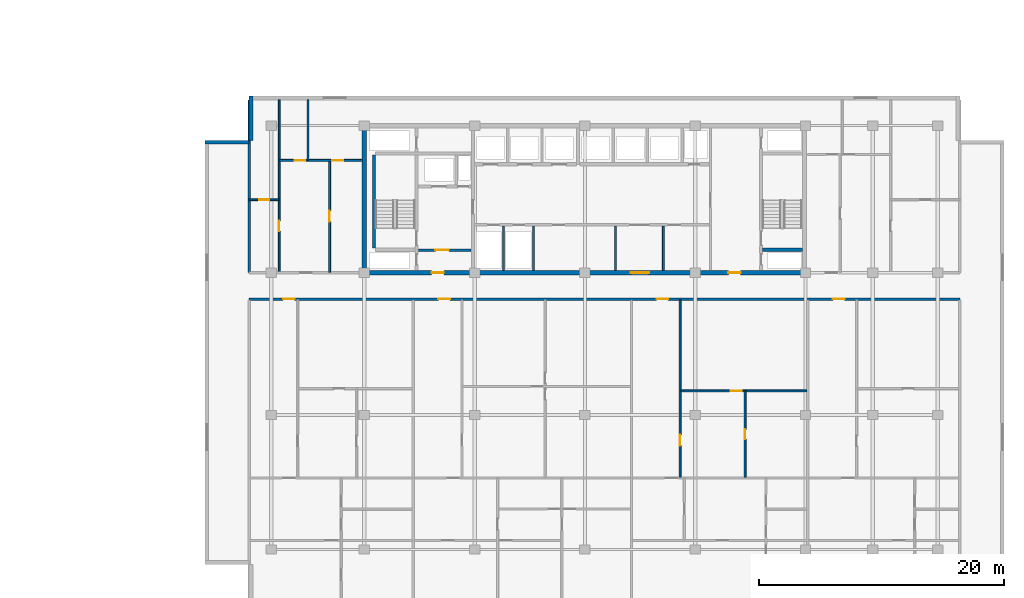
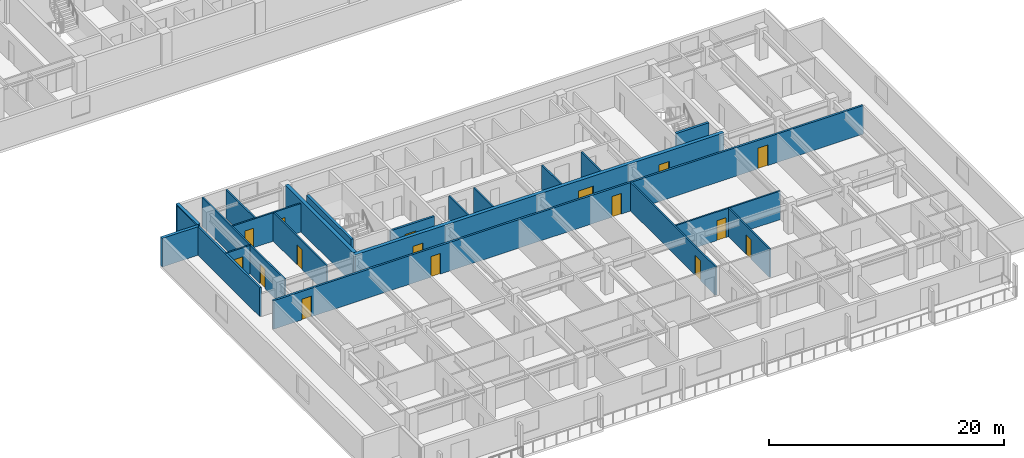
# One storey, part 6 of 22: 21 walls, 16 doors, 16 openings.
"""IFC4 building model written with IfcOpenShell, lengths in metres."""

from ifc_helpers import new_model, si_unit, direction, frame, frame_2d, origin, place, context, subcontext, project, spatial, rectangle, extrude, material, layer, layer_set, type_object, element, fill, save


model = new_model("IFC4")

# Units and contexts
model_context = context("Model", 3, precision=1e-05, world=origin(), true_north=direction((0.0, 1.0)))
body_context = subcontext(model_context, "Body", "Model", "MODEL_VIEW")
ifc_project = project(units=[si_unit("LENGTHUNIT", "METRE"), si_unit("AREAUNIT", "SQUARE_METRE"), si_unit("VOLUMEUNIT", "CUBIC_METRE"), si_unit("PLANEANGLEUNIT", "RADIAN"), si_unit("MASSUNIT", "GRAM", prefix="KILO")], contexts=[model_context])

# Site, building, storey
site_placement = place(None, origin())
site = spatial("IfcSite", under=ifc_project, at=site_placement, CompositionType="ELEMENT")
building_placement = place(site_placement, origin())
building = spatial("IfcBuilding", under=site, at=building_placement, Name="Korimba Cascade Residences", CompositionType="ELEMENT")
storey_placement = place(building_placement, frame((0.0, 0.0, 84.050048828125)))
storey = spatial("IfcBuildingStorey", under=building, at=storey_placement, Name="L23", CompositionType="ELEMENT", Elevation=84.050048828125)

# Walls
ifc_material_1 = material(Name="Precast concrete C40/50", Category="concrete")
ifc_layer_1 = layer(ifc_material_1, 0.300048828125)
ifc_layer_set_1 = layer_set([ifc_layer_1], Name="Precast concrete C40/50")
wall_type_1 = type_object("IfcWallType", Name="EW-STONE-300", PredefinedType="STANDARD", material=ifc_layer_set_1)
wall_1_placement = place(storey_placement, frame((72.85009765625, 32.800048828125, 0.0), z_axis=(0.0, 0.0, 1.0), x_axis=(0.0, -1.0, 0.0)))
element("IfcWall", 1, at=wall_1_placement, inside=storey, type_object=wall_type_1, Name="L23 T2 Perimeter Stone Wall E07", PredefinedType="STANDARD", context=body_context, shape_type="SweptSolid", body=[
    extrude(rectangle(XDim=3.60009765625, YDim=0.300048828125, at=frame_2d((1.800048828125, 0.0))), origin(), (0.0, 0.0, 1.0), 2.969970703125),
])
wall_2_placement = place(storey_placement, frame((72.699951171875, 29.050048828125, 0.0), z_axis=(0.0, 0.0, 1.0), x_axis=(-1.0, 0.0, 0.0)))
element("IfcWall", 2, at=wall_2_placement, inside=storey, type_object=wall_type_1, Name="L23 T2 Perimeter Stone Wall E08", PredefinedType="STANDARD", context=body_context, shape_type="SweptSolid", body=[
    extrude(rectangle(XDim=3.599853515625, YDim=0.300048828125, at=frame_2d((1.7998046875, 0.0))), origin(), (0.0, 0.0, 1.0), 2.969970703125),
])
ifc_material_2 = material(Name="Concrete C65/80", Category="concrete")
ifc_layer_2 = layer(ifc_material_2, 0.35009765625)
ifc_layer_set_2 = layer_set([ifc_layer_2], Name="Concrete C65/80")
wall_type_2 = type_object("IfcWallType", Name="WAL-CORE-350", PredefinedType="SHEAR", material=ifc_layer_set_2)
wall_3_placement = place(storey_placement, frame((82.10009765625, 18.574951171875, 0.0), z_axis=(0.0, 0.0, 1.0), x_axis=(0.0, 1.0, 0.0)))
element("IfcWall", 3, at=wall_3_placement, inside=storey, type_object=wall_type_2, Name="L23 Core Shear Wall CW-L23-T2-W", PredefinedType="SHEAR", context=body_context, shape_type="SweptSolid", body=[
    extrude(rectangle(XDim=11.650146484375, YDim=0.35009765625, at=frame_2d((5.8251953125, 0.0))), origin(), (0.0, 0.0, 1.0), 3.25),
])

# Wall, openings, doors
wall_4_placement = place(storey_placement, frame((81.925048828125, 18.39990234375, 0.0), z_axis=(0.0, 0.0, 1.0), x_axis=(1.0, 0.0, 0.0)))
wall_4 = element("IfcWall", 4, at=wall_4_placement, inside=storey, type_object=wall_type_2, Name="L23 Core Shear Wall CW-L23-T2-S", PredefinedType="SHEAR", context=body_context, shape_type="SweptSolid", body=[
    extrude(rectangle(XDim=36.264892578125, YDim=0.35009765625, at=frame_2d((18.13232421875, 0.0))), origin(), (0.0, 0.0, 1.0), 3.25),
])
opening_1_placement = place(wall_4_placement, frame((5.675048828125, 0.0, 0.0)))
opening_1 = element("IfcOpeningElement", 5, at=opening_1_placement, cuts=wall_4, Name="Opening D-FD5", PredefinedType="OPENING", context=body_context, shape_type="SweptSolid", body=[
    extrude(rectangle(XDim=1.0, YDim=2.14990234375, at=frame_2d((0.5, 1.074951171875))), frame((0.0, 0.18505859375, 0.0), z_axis=(0.0, -1.0, 0.0), x_axis=(1.0, 0.0, 0.0)), (0.0, 0.0, 1.0), 0.3701171875),
])
opening_2_placement = place(wall_4_placement, frame((21.925048828125, 0.0, 0.0)))
opening_2 = element("IfcOpeningElement", 6, at=opening_2_placement, cuts=wall_4, Name="Opening D-FD8", PredefinedType="OPENING", context=body_context, shape_type="SweptSolid", body=[
    extrude(rectangle(XDim=1.5, YDim=2.199951171875, at=frame_2d((0.75, 1.10009765625))), frame((0.0, 0.18505859375, 0.0), z_axis=(0.0, -1.0, 0.0), x_axis=(1.0, 0.0, 0.0)), (0.0, 0.0, 1.0), 0.3701171875),
])
opening_3_placement = place(wall_4_placement, frame((29.875, 0.0, 0.0)))
opening_3 = element("IfcOpeningElement", 7, at=opening_3_placement, cuts=wall_4, Name="Opening D-FD5", PredefinedType="OPENING", context=body_context, shape_type="SweptSolid", body=[
    extrude(rectangle(XDim=1.0, YDim=2.14990234375, at=frame_2d((0.5, 1.074951171875))), frame((0.0, 0.18505859375, 0.0), z_axis=(0.0, -1.0, 0.0), x_axis=(1.0, 0.0, 0.0)), (0.0, 0.0, 1.0), 0.3701171875),
])
ifc_material_3 = material(Name="Fire-Rated Acoustic Timber Vestibule Door", Category="wood")
door_type_1 = type_object("IfcDoorType", Name="DR-FD90-1000", OperationType="NOTDEFINED", PredefinedType="DOOR", material=ifc_material_3)
door_1_placement = place(opening_1_placement, origin())
door_1 = element("IfcDoor", 8, at=door_1_placement, inside=storey, type_object=door_type_1, Name="L23 T2 West Core Vestibule Fire Door", OperationType="SINGLE_SWING_LEFT", OverallHeight=2.14990234375, OverallWidth=1.0, PredefinedType="DOOR", context=body_context, shape_type="SweptSolid", body=[
    extrude(rectangle(XDim=1.0, YDim=2.14990234375, at=frame_2d((0.5, 1.074951171875))), frame((0.0, 0.02490234375, 0.0), z_axis=(0.0, -1.0, 0.0), x_axis=(1.0, 0.0, 0.0)), (0.0, 0.0, 1.0), 0.050048828125),
])
fill(opening_1, door_1)
door_2_placement = place(opening_3_placement, origin())
door_2 = element("IfcDoor", 9, at=door_2_placement, inside=storey, type_object=door_type_1, Name="L23 T2 East Stair Vestibule Fire Door", OperationType="SINGLE_SWING_RIGHT", OverallHeight=2.14990234375, OverallWidth=1.0, PredefinedType="DOOR", context=body_context, shape_type="SweptSolid", body=[
    extrude(rectangle(XDim=1.0, YDim=2.14990234375, at=frame_2d((0.5, 1.074951171875))), frame((0.0, 0.02490234375, 0.0), z_axis=(0.0, -1.0, 0.0), x_axis=(1.0, 0.0, 0.0)), (0.0, 0.0, 1.0), 0.050048828125),
])
fill(opening_3, door_2)
ifc_material_4 = material(Name="Fire-Rated Glazed Lift Lobby Double Door", Category="glass")
door_type_2 = type_object("IfcDoorType", Name="DR-FD90-1500", OperationType="NOTDEFINED", PredefinedType="DOOR", material=ifc_material_4)
door_3_placement = place(opening_2_placement, origin())
door_3 = element("IfcDoor", 10, at=door_3_placement, inside=storey, type_object=door_type_2, Name="L23 T2 Lift Lobby Fire Door", OperationType="DOUBLE_DOOR_SINGLE_SWING", OverallHeight=2.199951171875, OverallWidth=1.5, PredefinedType="DOOR", context=body_context, shape_type="SweptSolid", body=[
    extrude(rectangle(XDim=1.5, YDim=2.199951171875, at=frame_2d((0.75, 1.10009765625))), frame((0.0, 0.02490234375, 0.0), z_axis=(0.0, -1.0, 0.0), x_axis=(1.0, 0.0, 0.0)), (0.0, 0.0, 1.0), 0.050048828125),
])
fill(opening_2, door_3)

# Wall
ifc_layer_3 = layer(ifc_material_1, 0.199951171875)
ifc_layer_set_3 = layer_set([ifc_layer_3], Name="Precast concrete C40/50")
wall_type_3 = type_object("IfcWallType", Name="WAL-IT-200", PredefinedType="PARTITIONING", material=ifc_layer_set_3)
wall_5_placement = place(storey_placement, frame((72.699951171875, 18.39990234375, 0.0), z_axis=(0.0, 0.0, 1.0), x_axis=(0.0, 1.0, 0.0)))
element("IfcWall", 11, at=wall_5_placement, inside=storey, type_object=wall_type_3, Name="L23 Partition Wall WAL-L23-T2-FW-WL", PredefinedType="PARTITIONING", context=body_context, shape_type="SweptSolid", body=[
    extrude(rectangle(XDim=14.10009765625, YDim=0.199951171875, at=frame_2d((7.050048828125, 0.0))), origin(), (0.0, 0.0, 1.0), 2.969970703125),
])

# Wall, openings, doors
wall_6_placement = place(storey_placement, frame((72.699951171875, 16.25, 0.0), z_axis=(0.0, 0.0, 1.0), x_axis=(1.0, 0.0, 0.0)))
wall_6 = element("IfcWall", 12, at=wall_6_placement, inside=storey, type_object=wall_type_3, Name="L23 Partition Wall WAL-L23-T2-CORS", PredefinedType="PARTITIONING", context=body_context, shape_type="SweptSolid", body=[
    extrude(rectangle(XDim=58.0, YDim=0.199951171875, at=frame_2d((29.0, 0.0))), origin(), (0.0, 0.0, 1.0), 2.969970703125),
])
opening_4_placement = place(wall_6_placement, frame((2.77001953125, 0.0, 0.0)))
opening_4 = element("IfcOpeningElement", 13, at=opening_4_placement, cuts=wall_6, Name="Opening D-UN1", PredefinedType="OPENING", context=body_context, shape_type="SweptSolid", body=[
    extrude(rectangle(XDim=0.949951171875, YDim=2.14990234375, at=frame_2d((0.47509765625, 1.074951171875))), frame((0.0, 0.10986328125, 0.0), z_axis=(0.0, -1.0, 0.0), x_axis=(1.0, 0.0, 0.0)), (0.0, 0.0, 1.0), 0.219970703125),
])
opening_5_placement = place(wall_6_placement, frame((15.445068359375, 0.0, 0.0)))
opening_5 = element("IfcOpeningElement", 14, at=opening_5_placement, cuts=wall_6, Name="Opening D-UN1", PredefinedType="OPENING", context=body_context, shape_type="SweptSolid", body=[
    extrude(rectangle(XDim=0.949951171875, YDim=2.14990234375, at=frame_2d((0.47509765625, 1.074951171875))), frame((0.0, 0.10986328125, 0.0), z_axis=(0.0, -1.0, 0.0), x_axis=(1.0, 0.0, 0.0)), (0.0, 0.0, 1.0), 0.219970703125),
])
opening_6_placement = place(wall_6_placement, frame((33.2451171875, 0.0, 0.0)))
opening_6 = element("IfcOpeningElement", 15, at=opening_6_placement, cuts=wall_6, Name="Opening D-UN1", PredefinedType="OPENING", context=body_context, shape_type="SweptSolid", body=[
    extrude(rectangle(XDim=0.949951171875, YDim=2.14990234375, at=frame_2d((0.47509765625, 1.074951171875))), frame((0.0, 0.10986328125, 0.0), z_axis=(0.0, -1.0, 0.0), x_axis=(1.0, 0.0, 0.0)), (0.0, 0.0, 1.0), 0.219970703125),
])
opening_7_placement = place(wall_6_placement, frame((47.64501953125, 0.0, 0.0)))
opening_7 = element("IfcOpeningElement", 16, at=opening_7_placement, cuts=wall_6, Name="Opening D-UN1", PredefinedType="OPENING", context=body_context, shape_type="SweptSolid", body=[
    extrude(rectangle(XDim=0.949951171875, YDim=2.14990234375, at=frame_2d((0.47509765625, 1.074951171875))), frame((0.0, 0.10986328125, 0.0), z_axis=(0.0, -1.0, 0.0), x_axis=(1.0, 0.0, 0.0)), (0.0, 0.0, 1.0), 0.219970703125),
])
ifc_material_5 = material(Name="Fire-Rated Hardwood Apartment Entrance Door", Category="wood")
door_type_3 = type_object("IfcDoorType", Name="DR-FD60-950", OperationType="NOTDEFINED", PredefinedType="DOOR", material=ifc_material_5)
door_4_placement = place(opening_4_placement, origin())
door_4 = element("IfcDoor", 17, at=door_4_placement, inside=storey, type_object=door_type_3, Name="Unit L23-T2-U01 Entrance Door", OperationType="SINGLE_SWING_LEFT", OverallHeight=2.14990234375, OverallWidth=0.949951171875, PredefinedType="DOOR", context=body_context, shape_type="SweptSolid", body=[
    extrude(rectangle(XDim=0.949951171875, YDim=2.14990234375, at=frame_2d((0.47509765625, 1.074951171875))), frame((0.0, 0.02490234375, 0.0), z_axis=(0.0, -1.0, 0.0), x_axis=(1.0, 0.0, 0.0)), (0.0, 0.0, 1.0), 0.050048828125),
])
fill(opening_4, door_4)
door_5_placement = place(opening_5_placement, origin())
door_5 = element("IfcDoor", 18, at=door_5_placement, inside=storey, type_object=door_type_3, Name="Unit L23-T2-U02 Entrance Door", OperationType="SINGLE_SWING_RIGHT", OverallHeight=2.14990234375, OverallWidth=0.949951171875, PredefinedType="DOOR", context=body_context, shape_type="SweptSolid", body=[
    extrude(rectangle(XDim=0.949951171875, YDim=2.14990234375, at=frame_2d((0.47509765625, 1.074951171875))), frame((0.0, 0.02490234375, 0.0), z_axis=(0.0, -1.0, 0.0), x_axis=(1.0, 0.0, 0.0)), (0.0, 0.0, 1.0), 0.050048828125),
])
fill(opening_5, door_5)
door_6_placement = place(opening_6_placement, origin())
door_6 = element("IfcDoor", 19, at=door_6_placement, inside=storey, type_object=door_type_3, Name="Unit L23-T2-U03 Entrance Door", OperationType="SINGLE_SWING_LEFT", OverallHeight=2.14990234375, OverallWidth=0.949951171875, PredefinedType="DOOR", context=body_context, shape_type="SweptSolid", body=[
    extrude(rectangle(XDim=0.949951171875, YDim=2.14990234375, at=frame_2d((0.47509765625, 1.074951171875))), frame((0.0, 0.02490234375, 0.0), z_axis=(0.0, -1.0, 0.0), x_axis=(1.0, 0.0, 0.0)), (0.0, 0.0, 1.0), 0.050048828125),
])
fill(opening_6, door_6)
door_7_placement = place(opening_7_placement, origin())
door_7 = element("IfcDoor", 20, at=door_7_placement, inside=storey, type_object=door_type_3, Name="Unit L23-T2-U04 Entrance Door", OperationType="SINGLE_SWING_RIGHT", OverallHeight=2.14990234375, OverallWidth=0.949951171875, PredefinedType="DOOR", context=body_context, shape_type="SweptSolid", body=[
    extrude(rectangle(XDim=0.949951171875, YDim=2.14990234375, at=frame_2d((0.47509765625, 1.074951171875))), frame((0.0, 0.02490234375, 0.0), z_axis=(0.0, -1.0, 0.0), x_axis=(1.0, 0.0, 0.0)), (0.0, 0.0, 1.0), 0.050048828125),
])
fill(opening_7, door_7)

# Walls
ifc_material_6 = material(Name="Insulated Acoustic Stud Partition", Category="gypsum")
ifc_layer_4 = layer(ifc_material_6, 0.14990234375)
ifc_layer_set_4 = layer_set([ifc_layer_4], Name="Insulated Acoustic Stud Partition")
wall_type_4 = type_object("IfcWallType", Name="WAL-PART-150", PredefinedType="PARTITIONING", material=ifc_layer_set_4)
for number, where, z_axis, x_axis, name in (
    (21, (93.449951171875, 18.60009765625, 0.0), (0.0, 0.0, 1.0), (0.0, 1.0, 0.0), "L23 Partition Wall CW-L23-T2-ERDIV"),
    (22, (95.89990234375, 18.60009765625, 0.0), (0.0, 0.0, 1.0), (0.0, 1.0, 0.0), "L23 Partition Wall CW-L23-T2-PRDIV"),
    (23, (102.60009765625, 18.60009765625, 0.0), (0.0, 0.0, 1.0), (0.0, 1.0, 0.0), "L23 Partition Wall CW-L23-T2-THW"),
    (24, (106.5, 18.60009765625, 0.0), (0.0, 0.0, 1.0), (0.0, 1.0, 0.0), "L23 Partition Wall CW-L23-T2-THE"),
):
    element("IfcWall", number, at=place(storey_placement, frame(where, z_axis=z_axis, x_axis=x_axis)), inside=storey, type_object=wall_type_4, Name=name, PredefinedType="PARTITIONING", context=body_context, shape_type="SweptSolid", body=[
        extrude(rectangle(XDim=3.599853515625, YDim=0.14990234375, at=frame_2d((1.7998046875, 0.0))), origin(), (0.0, 0.0, 1.0), 2.969970703125),
    ])

# Wall, opening, door
wall_7_placement = place(storey_placement, frame((72.699951171875, 24.35009765625, 0.0), z_axis=(0.0, 0.0, 1.0), x_axis=(1.0, 0.0, 0.0)))
wall_7 = element("IfcWall", 25, at=wall_7_placement, inside=storey, type_object=wall_type_4, Name="L23 Partition Wall WAL-L23-T2-FW-STH", PredefinedType="PARTITIONING", context=body_context, shape_type="SweptSolid", body=[
    extrude(rectangle(XDim=2.449951171875, YDim=0.14990234375, at=frame_2d((1.22509765625, 0.0))), origin(), (0.0, 0.0, 1.0), 2.969970703125),
])
opening_8_placement = place(wall_7_placement, frame((0.804931640625, 0.0, 0.0)))
opening_8 = element("IfcOpeningElement", 26, at=opening_8_placement, cuts=wall_7, Name="Opening D-BT1", PredefinedType="OPENING", context=body_context, shape_type="SweptSolid", body=[
    extrude(rectangle(XDim=0.840087890625, YDim=2.0400390625, at=frame_2d((0.419921875, 1.02001953125))), frame((0.0, 0.0849609375, 0.0), z_axis=(0.0, -1.0, 0.0), x_axis=(1.0, 0.0, 0.0)), (0.0, 0.0, 1.0), 0.169921875),
])
ifc_material_7 = material(Name="Moisture-Resistant Bathroom Timber Door", Category="wood")
door_type_4 = type_object("IfcDoorType", Name="DR-INT-850", OperationType="NOTDEFINED", PredefinedType="DOOR", material=ifc_material_7)
door_8_placement = place(opening_8_placement, origin())
door_8 = element("IfcDoor", 27, at=door_8_placement, inside=storey, type_object=door_type_4, Name="L23-T2-FW Dressing Store Door", OperationType="SINGLE_SWING_RIGHT", OverallHeight=2.0400390625, OverallWidth=0.840087890625, PredefinedType="DOOR", context=body_context, shape_type="SweptSolid", body=[
    extrude(rectangle(XDim=0.840087890625, YDim=2.0400390625, at=frame_2d((0.419921875, 1.02001953125))), frame((0.0, 0.02490234375, 0.0), z_axis=(0.0, -1.0, 0.0), x_axis=(1.0, 0.0, 0.0)), (0.0, 0.0, 1.0), 0.050048828125),
])
fill(opening_8, door_8)

wall_8_placement = place(storey_placement, frame((75.14990234375, 18.449951171875, 0.0), z_axis=(0.0, 0.0, 1.0), x_axis=(0.0, 1.0, 0.0)))
wall_8 = element("IfcWall", 28, at=wall_8_placement, inside=storey, type_object=wall_type_4, Name="L23 Partition Wall WAL-L23-T2-FW-STV", PredefinedType="PARTITIONING", context=body_context, shape_type="SweptSolid", body=[
    extrude(rectangle(XDim=14.050048828125, YDim=0.14990234375, at=frame_2d((7.02490234375, 0.0))), origin(), (0.0, 0.0, 1.0), 2.969970703125),
])
opening_9_placement = place(wall_8_placement, frame((3.320068359375, 0.0, 0.0)))
opening_9 = element("IfcOpeningElement", 29, at=opening_9_placement, cuts=wall_8, Name="Opening D-IN2", PredefinedType="OPENING", context=body_context, shape_type="SweptSolid", body=[
    extrude(rectangle(XDim=0.8798828125, YDim=2.06005859375, at=frame_2d((0.43994140625, 1.030029296875))), frame((0.0, 0.0849609375, 0.0), z_axis=(0.0, -1.0, 0.0), x_axis=(1.0, 0.0, 0.0)), (0.0, 0.0, 1.0), 0.169921875),
])
ifc_material_8 = material(Name="Acoustic Timber Bedroom Door", Category="wood")
door_type_5 = type_object("IfcDoorType", Name="DR-INT-880", OperationType="NOTDEFINED", PredefinedType="DOOR", material=ifc_material_8)
door_9_placement = place(opening_9_placement, origin())
door_9 = element("IfcDoor", 30, at=door_9_placement, inside=storey, type_object=door_type_5, Name="L23-T2-FW Study Door", OperationType="SINGLE_SWING_LEFT", OverallHeight=2.06005859375, OverallWidth=0.8798828125, PredefinedType="DOOR", context=body_context, shape_type="SweptSolid", body=[
    extrude(rectangle(XDim=0.8798828125, YDim=2.06005859375, at=frame_2d((0.43994140625, 1.030029296875))), frame((0.0, 0.02490234375, 0.0), z_axis=(0.0, -1.0, 0.0), x_axis=(1.0, 0.0, 0.0)), (0.0, 0.0, 1.0), 0.050048828125),
])
fill(opening_9, door_9)

wall_9_placement = place(storey_placement, frame((79.27001953125, 18.449951171875, 0.0), z_axis=(0.0, 0.0, 1.0), x_axis=(0.0, 1.0, 0.0)))
wall_9 = element("IfcWall", 31, at=wall_9_placement, inside=storey, type_object=wall_type_4, Name="L23 Partition Wall WAL-L23-T2-FW-VS", PredefinedType="PARTITIONING", context=body_context, shape_type="SweptSolid", body=[
    extrude(rectangle(XDim=9.1201171875, YDim=0.14990234375, at=frame_2d((4.56005859375, 0.0))), origin(), (0.0, 0.0, 1.0), 2.969970703125),
])
opening_10_placement = place(wall_9_placement, frame((4.10009765625, 0.0, 0.0)))
opening_10 = element("IfcOpeningElement", 32, at=opening_10_placement, cuts=wall_9, Name="Opening D-IN1", PredefinedType="OPENING", context=body_context, shape_type="SweptSolid", body=[
    extrude(rectangle(XDim=0.919921875, YDim=2.080078125, at=frame_2d((0.4599609375, 1.0400390625))), frame((0.0, 0.0849609375, 0.0), z_axis=(0.0, -1.0, 0.0), x_axis=(1.0, 0.0, 0.0)), (0.0, 0.0, 1.0), 0.169921875),
])
ifc_material_9 = material(Name="Acoustic Timber Living Door", Category="wood")
door_type_6 = type_object("IfcDoorType", Name="DR-INT-920", OperationType="NOTDEFINED", PredefinedType="DOOR", material=ifc_material_9)
door_10_placement = place(opening_10_placement, origin())
door_10 = element("IfcDoor", 33, at=door_10_placement, inside=storey, type_object=door_type_6, Name="L23-T2-FW Living Door", OperationType="SINGLE_SWING_RIGHT", OverallHeight=2.080078125, OverallWidth=0.919921875, PredefinedType="DOOR", context=body_context, shape_type="SweptSolid", body=[
    extrude(rectangle(XDim=0.919921875, YDim=2.080078125, at=frame_2d((0.4599609375, 1.0400390625))), frame((0.0, 0.02490234375, 0.0), z_axis=(0.0, -1.0, 0.0), x_axis=(1.0, 0.0, 0.0)), (0.0, 0.0, 1.0), 0.050048828125),
])
fill(opening_10, door_10)

# Wall
wall_10_placement = place(storey_placement, frame((77.5, 27.570068359375, 0.0), z_axis=(0.0, 0.0, 1.0), x_axis=(0.0, 1.0, 0.0)))
element("IfcWall", 34, at=wall_10_placement, inside=storey, type_object=wall_type_4, Name="L23 Partition Wall WAL-L23-T2-FW-VN", PredefinedType="PARTITIONING", context=body_context, shape_type="SweptSolid", body=[
    extrude(rectangle(XDim=4.929931640625, YDim=0.14990234375, at=frame_2d((2.46484375, 0.0))), origin(), (0.0, 0.0, 1.0), 2.969970703125),
])

# Wall, openings, doors
wall_11_placement = place(storey_placement, frame((75.169921875, 27.570068359375, 0.0), z_axis=(0.0, 0.0, 1.0), x_axis=(1.0, 0.0, 0.0)))
wall_11 = element("IfcWall", 35, at=wall_11_placement, inside=storey, type_object=wall_type_4, Name="L23 Partition Wall WAL-L23-T2-FW-H", PredefinedType="PARTITIONING", context=body_context, shape_type="SweptSolid", body=[
    extrude(rectangle(XDim=6.760009765625, YDim=0.14990234375, at=frame_2d((3.3798828125, 0.0))), origin(), (0.0, 0.0, 1.0), 2.969970703125),
])
opening_11_placement = place(wall_11_placement, frame((1.266357421875, 0.0, 0.0)))
opening_11 = element("IfcOpeningElement", 36, at=opening_11_placement, cuts=wall_11, Name="Opening D-BT1", PredefinedType="OPENING", context=body_context, shape_type="SweptSolid", body=[
    extrude(rectangle(XDim=0.840087890625, YDim=2.0400390625, at=frame_2d((0.419921875, 1.02001953125))), frame((0.0, 0.0849609375, 0.0), z_axis=(0.0, -1.0, 0.0), x_axis=(1.0, 0.0, 0.0)), (0.0, 0.0, 1.0), 0.169921875),
])
opening_12_placement = place(wall_11_placement, frame((4.320068359375, 0.0, 0.0)))
opening_12 = element("IfcOpeningElement", 37, at=opening_12_placement, cuts=wall_11, Name="Opening D-IN2", PredefinedType="OPENING", context=body_context, shape_type="SweptSolid", body=[
    extrude(rectangle(XDim=0.8798828125, YDim=2.06005859375, at=frame_2d((0.43994140625, 1.030029296875))), frame((0.0, 0.0849609375, 0.0), z_axis=(0.0, -1.0, 0.0), x_axis=(1.0, 0.0, 0.0)), (0.0, 0.0, 1.0), 0.169921875),
])
door_11_placement = place(opening_11_placement, origin())
door_11 = element("IfcDoor", 38, at=door_11_placement, inside=storey, type_object=door_type_4, Name="L23-T2-FW Bathroom Door", OperationType="SINGLE_SWING_LEFT", OverallHeight=2.0400390625, OverallWidth=0.840087890625, PredefinedType="DOOR", context=body_context, shape_type="SweptSolid", body=[
    extrude(rectangle(XDim=0.840087890625, YDim=2.0400390625, at=frame_2d((0.419921875, 1.02001953125))), frame((0.0, 0.02490234375, 0.0), z_axis=(0.0, -1.0, 0.0), x_axis=(1.0, 0.0, 0.0)), (0.0, 0.0, 1.0), 0.050048828125),
])
fill(opening_11, door_11)
door_12_placement = place(opening_12_placement, origin())
door_12 = element("IfcDoor", 39, at=door_12_placement, inside=storey, type_object=door_type_5, Name="L23-T2-FW Bedroom Door", OperationType="SINGLE_SWING_RIGHT", OverallHeight=2.06005859375, OverallWidth=0.8798828125, PredefinedType="DOOR", context=body_context, shape_type="SweptSolid", body=[
    extrude(rectangle(XDim=0.8798828125, YDim=2.06005859375, at=frame_2d((0.43994140625, 1.030029296875))), frame((0.0, 0.02490234375, 0.0), z_axis=(0.0, -1.0, 0.0), x_axis=(1.0, 0.0, 0.0)), (0.0, 0.0, 1.0), 0.050048828125),
])
fill(opening_12, door_12)

# Wall, opening, door
wall_12_placement = place(storey_placement, frame((113.175048828125, 1.68994140625, 0.0), z_axis=(0.0, 0.0, 1.0), x_axis=(0.0, 1.0, 0.0)))
wall_12 = element("IfcWall", 40, at=wall_12_placement, inside=storey, type_object=wall_type_4, Name="L23 Partition Wall WAL-L23-T2-U03-FMV", PredefinedType="PARTITIONING", context=body_context, shape_type="SweptSolid", body=[
    extrude(rectangle(XDim=7.070068359375, YDim=0.14990234375, at=frame_2d((3.53515625, 0.0))), origin(), (0.0, 0.0, 1.0), 2.969970703125),
])
opening_13_placement = place(wall_12_placement, frame((3.114990234375, 0.0, 0.0)))
opening_13 = element("IfcOpeningElement", 41, at=opening_13_placement, cuts=wall_12, Name="Opening D-BT1", PredefinedType="OPENING", context=body_context, shape_type="SweptSolid", body=[
    extrude(rectangle(XDim=0.840087890625, YDim=2.0400390625, at=frame_2d((0.419921875, 1.02001953125))), frame((0.0, 0.0849609375, 0.0), z_axis=(0.0, -1.0, 0.0), x_axis=(1.0, 0.0, 0.0)), (0.0, 0.0, 1.0), 0.169921875),
])
door_13_placement = place(opening_13_placement, origin())
door_13 = element("IfcDoor", 42, at=door_13_placement, inside=storey, type_object=door_type_4, Name="L23-T2-U03 Wardrobe Door", OperationType="SINGLE_SWING_LEFT", OverallHeight=2.0400390625, OverallWidth=0.840087890625, PredefinedType="DOOR", context=body_context, shape_type="SweptSolid", body=[
    extrude(rectangle(XDim=0.840087890625, YDim=2.0400390625, at=frame_2d((0.419921875, 1.02001953125))), frame((0.0, 0.02490234375, 0.0), z_axis=(0.0, -1.0, 0.0), x_axis=(1.0, 0.0, 0.0)), (0.0, 0.0, 1.0), 0.050048828125),
])
fill(opening_13, door_13)

wall_13_placement = place(storey_placement, frame((107.929931640625, 8.760009765625, 0.0), z_axis=(0.0, 0.0, 1.0), x_axis=(1.0, 0.0, 0.0)))
wall_13 = element("IfcWall", 43, at=wall_13_placement, inside=storey, type_object=wall_type_4, Name="L23 Partition Wall WAL-L23-T2-U03-FMH", PredefinedType="PARTITIONING", context=body_context, shape_type="SweptSolid", body=[
    extrude(rectangle(XDim=10.2900390625, YDim=0.14990234375, at=frame_2d((5.14501953125, 0.0))), origin(), (0.0, 0.0, 1.0), 2.969970703125),
])
opening_14_placement = place(wall_13_placement, frame((4.069091796875, 0.0, 0.0)))
opening_14 = element("IfcOpeningElement", 44, at=opening_14_placement, cuts=wall_13, Name="Opening D-IN2", PredefinedType="OPENING", context=body_context, shape_type="SweptSolid", body=[
    extrude(rectangle(XDim=0.8798828125, YDim=2.06005859375, at=frame_2d((0.43994140625, 1.030029296875))), frame((0.0, 0.0849609375, 0.0), z_axis=(0.0, -1.0, 0.0), x_axis=(1.0, 0.0, 0.0)), (0.0, 0.0, 1.0), 0.169921875),
])
door_14_placement = place(opening_14_placement, origin())
door_14 = element("IfcDoor", 45, at=door_14_placement, inside=storey, type_object=door_type_5, Name="L23-T2-U03 Library Salon Door", OperationType="SINGLE_SWING_RIGHT", OverallHeight=2.06005859375, OverallWidth=0.8798828125, PredefinedType="DOOR", context=body_context, shape_type="SweptSolid", body=[
    extrude(rectangle(XDim=0.8798828125, YDim=2.06005859375, at=frame_2d((0.43994140625, 1.030029296875))), frame((0.0, 0.02490234375, 0.0), z_axis=(0.0, -1.0, 0.0), x_axis=(1.0, 0.0, 0.0)), (0.0, 0.0, 1.0), 0.050048828125),
])
fill(opening_14, door_14)

wall_14_placement = place(storey_placement, frame((107.8701171875, 1.68994140625, 0.0), z_axis=(0.0, 0.0, 1.0), x_axis=(0.0, 1.0, 0.0)))
wall_14 = element("IfcWall", 46, at=wall_14_placement, inside=storey, type_object=wall_type_4, Name="L23 Partition Wall WAL-L23-T2-U03-FV", PredefinedType="PARTITIONING", context=body_context, shape_type="SweptSolid", body=[
    extrude(rectangle(XDim=14.5, YDim=0.14990234375, at=frame_2d((7.25, 0.0))), origin(), (0.0, 0.0, 1.0), 2.969970703125),
])
opening_15_placement = place(wall_14_placement, frame((2.5859375, 0.0, 0.0)))
opening_15 = element("IfcOpeningElement", 47, at=opening_15_placement, cuts=wall_14, Name="Opening D-IN2", PredefinedType="OPENING", context=body_context, shape_type="SweptSolid", body=[
    extrude(rectangle(XDim=0.8798828125, YDim=2.06005859375, at=frame_2d((0.43994140625, 1.030029296875))), frame((0.0, 0.0849609375, 0.0), z_axis=(0.0, -1.0, 0.0), x_axis=(1.0, 0.0, 0.0)), (0.0, 0.0, 1.0), 0.169921875),
])
door_15_placement = place(opening_15_placement, origin())
door_15 = element("IfcDoor", 48, at=door_15_placement, inside=storey, type_object=door_type_5, Name="L23-T2-U03 Media Lounge Door", OperationType="SINGLE_SWING_LEFT", OverallHeight=2.06005859375, OverallWidth=0.8798828125, PredefinedType="DOOR", context=body_context, shape_type="SweptSolid", body=[
    extrude(rectangle(XDim=0.8798828125, YDim=2.06005859375, at=frame_2d((0.43994140625, 1.030029296875))), frame((0.0, 0.02490234375, 0.0), z_axis=(0.0, -1.0, 0.0), x_axis=(1.0, 0.0, 0.0)), (0.0, 0.0, 1.0), 0.050048828125),
])
fill(opening_15, door_15)

ifc_material_10 = material(Name="Concrete C40/50", Category="concrete")
ifc_layer_5 = layer(ifc_material_10, 0.199951171875)
ifc_layer_set_5 = layer_set([ifc_layer_5], Name="Concrete C40/50")
wall_type_5 = type_object("IfcWallType", Name="WAL-PART-200", PredefinedType="PARTITIONING", material=ifc_layer_set_5)
wall_15_placement = place(storey_placement, frame((86.5, 20.25, 0.0), z_axis=(0.0, 0.0, 1.0), x_axis=(1.0, 0.0, 0.0)))
wall_15 = element("IfcWall", 49, at=wall_15_placement, inside=storey, type_object=wall_type_5, Name="L23 Partition Wall CW-L23-T2-FFLS", PredefinedType="PARTITIONING", context=body_context, shape_type="SweptSolid", body=[
    extrude(rectangle(XDim=4.320068359375, YDim=0.199951171875, at=frame_2d((2.16015625, 0.0))), origin(), (0.0, 0.0, 1.0), 2.969970703125),
])
opening_16_placement = place(wall_15_placement, frame((1.39990234375, 0.0, 0.0)))
opening_16 = element("IfcOpeningElement", 50, at=opening_16_placement, cuts=wall_15, Name="Opening D-FD1", PredefinedType="OPENING", context=body_context, shape_type="SweptSolid", body=[
    extrude(rectangle(XDim=1.10009765625, YDim=2.10009765625, at=frame_2d((0.550048828125, 1.050048828125))), frame((0.0, 0.10986328125, 0.0), z_axis=(0.0, -1.0, 0.0), x_axis=(1.0, 0.0, 0.0)), (0.0, 0.0, 1.0), 0.219970703125),
])
ifc_material_11 = material(Name="Fire-Rated Steel Core Door", Category="steel")
door_type_7 = type_object("IfcDoorType", Name="DR-FD120-1100", OperationType="NOTDEFINED", PredefinedType="DOOR", material=ifc_material_11)
door_16_placement = place(opening_16_placement, origin())
door_16 = element("IfcDoor", 51, at=door_16_placement, inside=storey, type_object=door_type_7, Name="L23 T2 Firefighting Lobby Door", OperationType="SINGLE_SWING_LEFT", OverallHeight=2.10009765625, OverallWidth=1.10009765625, PredefinedType="DOOR", context=body_context, shape_type="SweptSolid", body=[
    extrude(rectangle(XDim=1.10009765625, YDim=2.10009765625, at=frame_2d((0.550048828125, 1.050048828125))), frame((0.0, 0.02490234375, 0.0), z_axis=(0.0, -1.0, 0.0), x_axis=(1.0, 0.0, 0.0)), (0.0, 0.0, 1.0), 0.050048828125),
])
fill(opening_16, door_16)

# Walls
ifc_material_12 = material(Name="Concrete C50/60", Category="concrete")
ifc_layer_6 = layer(ifc_material_12, 0.25)
ifc_layer_set_6 = layer_set([ifc_layer_6], Name="Concrete C50/60")
wall_type_6 = type_object("IfcWallType", Name="WAL-SHAFT-250", PredefinedType="SHEAR", material=ifc_layer_set_6)
wall_16_placement = place(storey_placement, frame((82.875, 20.39990234375, 0.0), z_axis=(0.0, 0.0, 1.0), x_axis=(0.0, 1.0, 0.0)))
element("IfcWall", 52, at=wall_16_placement, inside=storey, type_object=wall_type_6, Name="L23 Core Shear Wall CW-L23-T2-STE1W", PredefinedType="SHEAR", context=body_context, shape_type="SweptSolid", body=[
    extrude(rectangle(XDim=7.60009765625, YDim=0.25, at=frame_2d((3.800048828125, 0.0))), origin(), (0.0, 0.0, 1.0), 3.25),
])
wall_17_placement = place(storey_placement, frame((114.60009765625, 20.27490234375, 0.0), z_axis=(0.0, 0.0, 1.0), x_axis=(1.0, 0.0, 0.0)))
element("IfcWall", 53, at=wall_17_placement, inside=storey, type_object=wall_type_6, Name="L23 Core Shear Wall CW-L23-T2-STE2S", PredefinedType="SHEAR", context=body_context, shape_type="SweptSolid", body=[
    extrude(rectangle(XDim=3.239990234375, YDim=0.25, at=frame_2d((1.6201171875, 0.0))), origin(), (0.0, 0.0, 1.0), 3.25),
])

save(model, "model.ifc")
